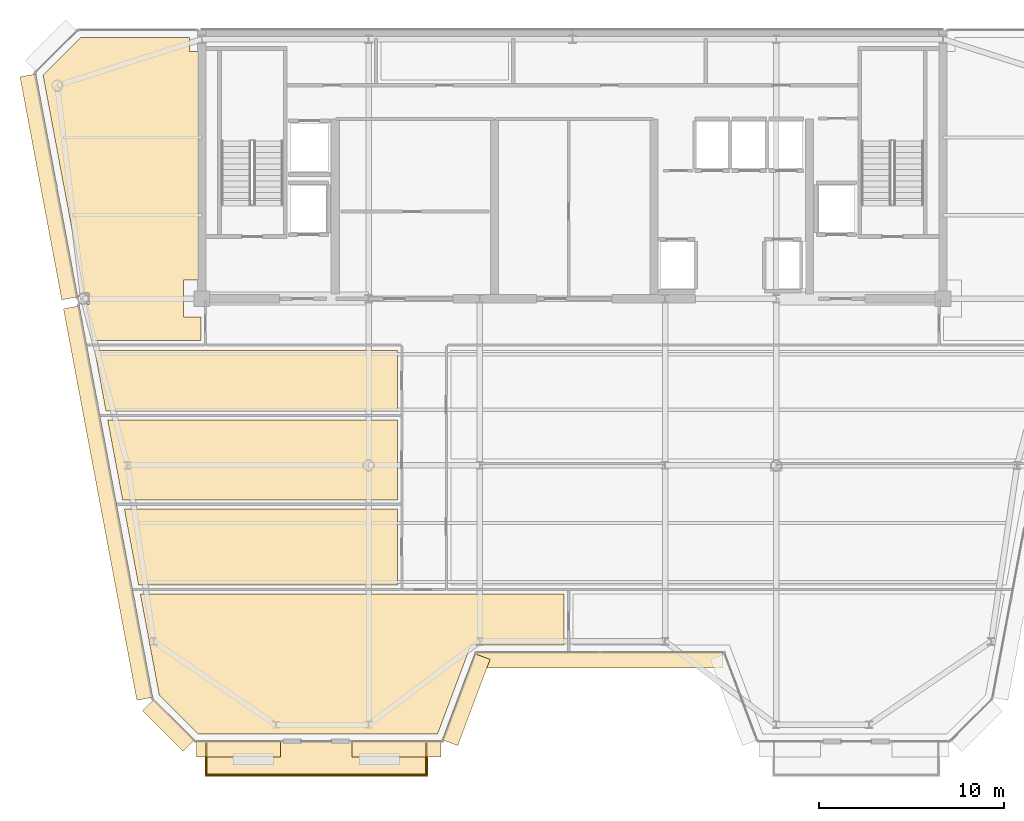
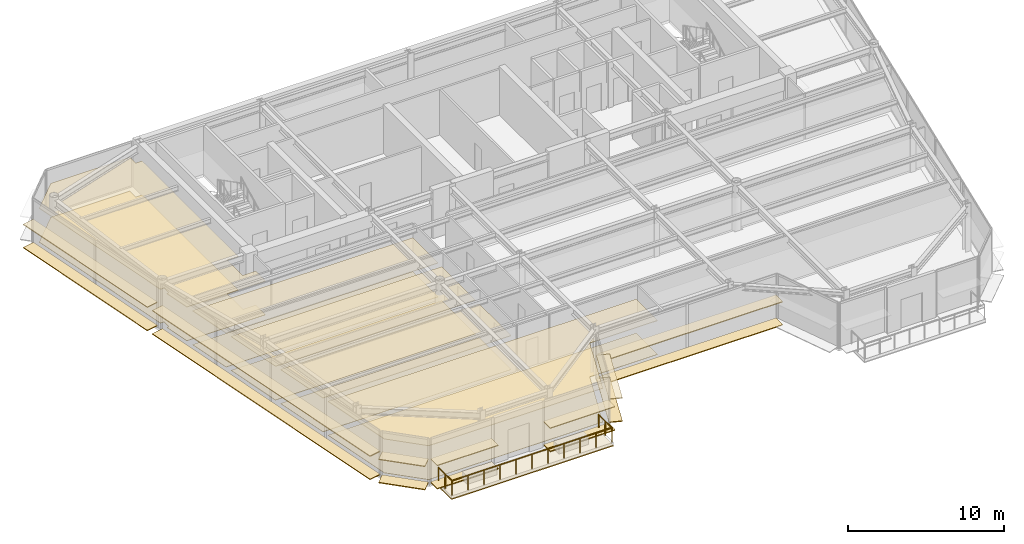
# One storey, part 14 of 20: 25 coverings, 1 railing.
"""IFC4 building model written with IfcOpenShell, lengths in metres."""

from ifc_helpers import new_model, si_unit, direction, frame, origin, origin_2d, place, context, subcontext, project, spatial, polyline, rectangle, circle, outline, extrude, source, transform, mapped, material, layer, layer_set, type_object, element, save


model = new_model("IFC4")

# Units and contexts
model_context = context("Model", 3, precision=1e-05, world=origin(), true_north=direction((0.0, 1.0)))
body_context = subcontext(model_context, "Body", "Model", "MODEL_VIEW")
ifc_project = project(units=[si_unit("LENGTHUNIT", "METRE"), si_unit("AREAUNIT", "SQUARE_METRE"), si_unit("VOLUMEUNIT", "CUBIC_METRE"), si_unit("PLANEANGLEUNIT", "RADIAN"), si_unit("MASSUNIT", "GRAM", prefix="KILO")], contexts=[model_context])

# Site, building, storey
site_placement = place(None, origin())
site = spatial("IfcSite", under=ifc_project, at=site_placement, CompositionType="ELEMENT")
building_placement = place(site_placement, origin())
building = spatial("IfcBuilding", under=site, at=building_placement, Name="Vaeldorn Concourse Tower", CompositionType="ELEMENT")
storey_placement = place(building_placement, frame((0.0, 0.0, 268.800048828125)))
storey = spatial("IfcBuildingStorey", under=building, at=storey_placement, Name="L69", CompositionType="ELEMENT", Elevation=268.800048828125)

# Coverings
ifc_material_1 = material(Name="Acoustic Mineral Fibre Board", Category="gypsum")
ifc_layer_1 = layer(ifc_material_1, 0.0400390625)
ifc_layer_set_1 = layer_set([ifc_layer_1], Name="Acoustic Mineral Fibre Board")
covering_type_1 = type_object("IfcCoveringType", Name="COV-CEIL-ACOUSTIC", PredefinedType="CEILING", material=ifc_layer_set_1)
covering_1_placement = place(storey_placement, frame((0.0, 0.0, 2.64990234375)))
element("IfcCovering", 1, at=covering_1_placement, inside=storey, type_object=covering_type_1, Name="Suspended Acoustic Ceiling L69-3", PredefinedType="CEILING", context=body_context, shape_type="SweptSolid", body=[
    extrude(outline(polyline([(7.4658203125, 50.60009765625), (13.340087890625, 50.60009765625), (13.340087890625, 49.840087890625), (13.820068359375, 49.840087890625), (13.820068359375, 37.5), (13.0, 37.5), (13.0, 35.5), (13.9599609375, 35.5), (13.9599609375, 34.239990234375), (8.11767578125, 34.239990234375), (7.751220703125, 36.195068359375), (7.905029296875, 36.195068359375), (7.905029296875, 36.804931640625), (7.63671875, 36.804931640625), (5.431884765625, 48.56640625), (7.4658203125, 50.60009765625)])), origin(), (0.0, 0.0, 1.0), 0.0400390625),
])
covering_2_placement = place(storey_placement, frame((0.0, 0.0, 2.64990234375)))
element("IfcCovering", 2, at=covering_2_placement, inside=storey, type_object=covering_type_1, Name="Suspended Acoustic Ceiling L69-5", PredefinedType="CEILING", context=body_context, shape_type="SweptSolid", body=[
    extrude(outline(polyline([(24.56005859375, 25.159912109375), (24.56005859375, 21.0400390625), (10.592041015625, 21.0400390625), (9.819580078125, 25.159912109375), (24.56005859375, 25.159912109375)])), origin(), (0.0, 0.0, 1.0), 0.0400390625),
])
covering_3_placement = place(storey_placement, frame((0.0, 0.0, 2.64990234375)))
element("IfcCovering", 3, at=covering_3_placement, inside=storey, type_object=covering_type_1, Name="Suspended Acoustic Ceiling L69-6", PredefinedType="CEILING", context=body_context, shape_type="SweptSolid", body=[
    extrude(outline(polyline([(24.56005859375, 29.9599609375), (24.56005859375, 25.639892578125), (9.729736328125, 25.639892578125), (8.919921875, 29.9599609375), (24.56005859375, 29.9599609375)])), origin(), (0.0, 0.0, 1.0), 0.0400390625),
])
covering_4_placement = place(storey_placement, frame((0.0, 0.0, 2.64990234375)))
element("IfcCovering", 4, at=covering_4_placement, inside=storey, type_object=covering_type_1, Name="Suspended Acoustic Ceiling L69-7", PredefinedType="CEILING", context=body_context, shape_type="SweptSolid", body=[
    extrude(outline(polyline([(24.56005859375, 33.699951171875), (24.56005859375, 30.43994140625), (8.829833984375, 30.43994140625), (8.21875, 33.699951171875), (24.56005859375, 33.699951171875)])), origin(), (0.0, 0.0, 1.0), 0.0400390625),
])
covering_5_placement = place(storey_placement, frame((0.0, 0.0, 2.64990234375)))
element("IfcCovering", 5, at=covering_5_placement, inside=storey, type_object=covering_type_1, Name="Suspended Acoustic Ceiling L69-10", PredefinedType="CEILING", context=body_context, shape_type="SweptSolid", body=[
    extrude(outline(polyline([(33.56005859375, 20.56005859375), (33.56005859375, 17.800048828125), (28.522705078125, 17.800048828125), (26.722900390625, 13.0), (13.8017578125, 13.0), (11.706298828125, 15.09521484375), (11.687255859375, 15.197509765625), (10.681884765625, 20.56005859375), (33.56005859375, 20.56005859375)])), origin(), (0.0, 0.0, 1.0), 0.0400390625),
])
ifc_material_2 = material(Name="Honed Limestone Terrazzo Flooring", Category="masonry")
ifc_layer_2 = layer(ifc_material_2, 0.0400390625)
ifc_layer_set_2 = layer_set([ifc_layer_2], Name="Honed Limestone Terrazzo Flooring")
covering_type_2 = type_object("IfcCoveringType", Name="COV-FLOOR-STONE", PredefinedType="FLOORING", material=ifc_layer_set_2)
covering_6_placement = place(storey_placement, origin())
element("IfcCovering", 6, at=covering_6_placement, inside=storey, type_object=covering_type_2, Name="Floor Finish Covering L69-3", PredefinedType="FLOORING", context=body_context, shape_type="SweptSolid", body=[
    extrude(outline(polyline([(7.4658203125, 50.60009765625), (13.340087890625, 50.60009765625), (13.340087890625, 49.840087890625), (13.820068359375, 49.840087890625), (13.820068359375, 37.5), (13.0, 37.5), (13.0, 35.5), (13.9599609375, 35.5), (13.9599609375, 34.239990234375), (8.11767578125, 34.239990234375), (7.751220703125, 36.195068359375), (7.905029296875, 36.195068359375), (7.905029296875, 36.804931640625), (7.63671875, 36.804931640625), (5.431884765625, 48.56640625), (7.4658203125, 50.60009765625)])), origin(), (0.0, 0.0, 1.0), 0.030029296875),
])
covering_7_placement = place(storey_placement, origin())
element("IfcCovering", 7, at=covering_7_placement, inside=storey, type_object=covering_type_2, Name="Floor Finish Covering L69-5", PredefinedType="FLOORING", context=body_context, shape_type="SweptSolid", body=[
    extrude(outline(polyline([(24.56005859375, 25.159912109375), (24.56005859375, 21.0400390625), (10.592041015625, 21.0400390625), (9.819580078125, 25.159912109375), (24.56005859375, 25.159912109375)])), origin(), (0.0, 0.0, 1.0), 0.030029296875),
])
covering_8_placement = place(storey_placement, origin())
element("IfcCovering", 8, at=covering_8_placement, inside=storey, type_object=covering_type_2, Name="Floor Finish Covering L69-6", PredefinedType="FLOORING", context=body_context, shape_type="SweptSolid", body=[
    extrude(outline(polyline([(24.56005859375, 29.9599609375), (24.56005859375, 25.639892578125), (9.729736328125, 25.639892578125), (8.919921875, 29.9599609375), (24.56005859375, 29.9599609375)])), origin(), (0.0, 0.0, 1.0), 0.030029296875),
])
covering_9_placement = place(storey_placement, origin())
element("IfcCovering", 9, at=covering_9_placement, inside=storey, type_object=covering_type_2, Name="Floor Finish Covering L69-7", PredefinedType="FLOORING", context=body_context, shape_type="SweptSolid", body=[
    extrude(outline(polyline([(24.56005859375, 33.699951171875), (24.56005859375, 30.43994140625), (8.829833984375, 30.43994140625), (8.21875, 33.699951171875), (24.56005859375, 33.699951171875)])), origin(), (0.0, 0.0, 1.0), 0.030029296875),
])
covering_10_placement = place(storey_placement, origin())
element("IfcCovering", 10, at=covering_10_placement, inside=storey, type_object=covering_type_2, Name="Floor Finish Covering L69-10", PredefinedType="FLOORING", context=body_context, shape_type="SweptSolid", body=[
    extrude(outline(polyline([(33.56005859375, 20.56005859375), (33.56005859375, 17.800048828125), (28.522705078125, 17.800048828125), (26.722900390625, 13.0), (13.8017578125, 13.0), (11.706298828125, 15.09521484375), (11.687255859375, 15.197509765625), (10.681884765625, 20.56005859375), (33.56005859375, 20.56005859375)])), origin(), (0.0, 0.0, 1.0), 0.030029296875),
])
ifc_material_3 = material(Name="EPDM Waterproof Membrane and Insulation", Category="plastic")
ifc_layer_3 = layer(ifc_material_3, 0.080078125)
ifc_layer_set_3 = layer_set([ifc_layer_3], Name="EPDM Waterproof Membrane and Insulation")
covering_type_3 = type_object("IfcCoveringType", Name="COV-ROOFING-EPDM", PredefinedType="ROOFING", material=ifc_layer_set_3)
covering_11_placement = place(storey_placement, frame((0.0, 0.0, -0.300048828125)))
element("IfcCovering", 11, at=covering_11_placement, inside=storey, type_object=covering_type_3, Name="Sky Garden Waterproofing Membrane L69-1", PredefinedType="ROOFING", context=body_context, shape_type="SweptSolid", body=[
    extrude(outline(polyline([(14.166015625, 10.719970703125), (26.199951171875, 10.719970703125), (26.199951171875, 12.580078125), (14.166015625, 12.580078125), (14.166015625, 10.719970703125)])), origin(), (0.0, 0.0, 1.0), 0.080078125),
])

# Railing
ifc_material_4 = material(Name="Anodised Bronze Aluminium", Category="aluminium")
railing_type = type_object("IfcRailingType", Name="RL-BALUSTRADE-1150", PredefinedType="BALUSTRADE", material=ifc_material_4)
railing_placement = place(storey_placement, frame((14.24609375, 12.5, 0.0)))
element("IfcRailing", 12, at=railing_placement, inside=storey, type_object=railing_type, Name="Sawtooth Sky Garden Balustrade L69-1", PredefinedType="BALUSTRADE", context=body_context, shape_type="SweptSolid", body=[
    extrude(circle(Radius=0.02392578125, at=origin_2d()), frame((0.0, 0.0, 1.1259765625), z_axis=(0.0, -1.0, 0.0), x_axis=(1.0, 0.0, 0.0)), (0.0, 0.0, 1.0), 1.699951171875),
    extrude(circle(Radius=0.02392578125, at=origin_2d()), frame((0.0, -1.699951171875, 1.1259765625), z_axis=(1.0, 0.0, 0.0), x_axis=(0.0, 1.0, 0.0)), (0.0, 0.0, 1.0), 11.8740234375),
    extrude(circle(Radius=0.02392578125, at=origin_2d()), frame((11.8740234375, -1.699951171875, 1.1259765625), z_axis=(0.0, 1.0, 0.0), x_axis=(-1.0, 0.0, 0.0)), (0.0, 0.0, 1.0), 1.699951171875),
    extrude(circle(Radius=0.02099609375, at=origin_2d()), origin(), (0.0, 0.0, 1.0), 1.101806640625),
    extrude(circle(Radius=0.02099609375, at=origin_2d()), frame((0.0, -0.85009765625, 0.0)), (0.0, 0.0, 1.0), 1.101806640625),
    extrude(circle(Radius=0.02099609375, at=origin_2d()), frame((0.0, -1.699951171875, 0.0)), (0.0, 0.0, 1.0), 1.101806640625),
    extrude(circle(Radius=0.02099609375, at=origin_2d()), frame((1.1875, -1.699951171875, 0.0)), (0.0, 0.0, 1.0), 1.101806640625),
    extrude(circle(Radius=0.02099609375, at=origin_2d()), frame((2.374755859375, -1.699951171875, 0.0)), (0.0, 0.0, 1.0), 1.101806640625),
    extrude(circle(Radius=0.02099609375, at=origin_2d()), frame((3.562255859375, -1.699951171875, 0.0)), (0.0, 0.0, 1.0), 1.101806640625),
    extrude(circle(Radius=0.02099609375, at=origin_2d()), frame((4.74951171875, -1.699951171875, 0.0)), (0.0, 0.0, 1.0), 1.101806640625),
    extrude(circle(Radius=0.02099609375, at=origin_2d()), frame((5.93701171875, -1.699951171875, 0.0)), (0.0, 0.0, 1.0), 1.101806640625),
    extrude(circle(Radius=0.02099609375, at=origin_2d()), frame((7.12451171875, -1.699951171875, 0.0)), (0.0, 0.0, 1.0), 1.101806640625),
    extrude(circle(Radius=0.02099609375, at=origin_2d()), frame((8.311767578125, -1.699951171875, 0.0)), (0.0, 0.0, 1.0), 1.101806640625),
    extrude(circle(Radius=0.02099609375, at=origin_2d()), frame((9.499267578125, -1.699951171875, 0.0)), (0.0, 0.0, 1.0), 1.101806640625),
    extrude(circle(Radius=0.02099609375, at=origin_2d()), frame((10.6865234375, -1.699951171875, 0.0)), (0.0, 0.0, 1.0), 1.101806640625),
    extrude(circle(Radius=0.02099609375, at=origin_2d()), frame((11.8740234375, -1.699951171875, 0.0)), (0.0, 0.0, 1.0), 1.101806640625),
    extrude(circle(Radius=0.02099609375, at=origin_2d()), frame((11.8740234375, -0.85009765625, 0.0)), (0.0, 0.0, 1.0), 1.101806640625),
    extrude(circle(Radius=0.02099609375, at=origin_2d()), frame((11.8740234375, 0.0, 0.0)), (0.0, 0.0, 1.0), 1.101806640625),
])

# Coverings
ifc_layer_4 = layer(ifc_material_4, 0.06494140625)
ifc_layer_set_4 = layer_set([ifc_layer_4], Name="Anodised Bronze Aluminium")
covering_type_4 = type_object("IfcCoveringType", Name="SD-BRONZE-SUNSHADE", PredefinedType="USERDEFINED", material=ifc_layer_set_4)
shared_shape_1 = source(origin(), body_context, "Body", "SweptSolid", [
    extrude(rectangle(XDim=4.96630859375, YDim=0.8798828125, at=origin_2d()), origin(), (0.0, 0.0, 1.0), 0.06494140625),
])
for number, where, z_axis, x_axis, name in (
    (13, (28.2744140625, 14.859619140625, 0.04736328125), (0.0, 0.0, 1.0), (0.351122702609, 0.936329454686, 0.0), "Horizontal Bronze Sunshade L69-E02.1.1"),
    (14, (28.2744140625, 14.859619140625, 1.867431640625), (0.0, 0.0, 1.0), (0.351122702609, 0.936329454686, 0.0), "Horizontal Bronze Sunshade L69-E02.1.2"),
):
    element("IfcCovering", number, at=place(storey_placement, frame(where, z_axis=z_axis, x_axis=x_axis)), inside=storey, type_object=covering_type_4, Name=name, ObjectType="SUNSHADE", PredefinedType="USERDEFINED", context=body_context, shape_type="MappedRepresentation", body=[
        mapped(shared_shape_1, transform((0.0, 0.0, 0.0), scale=1.0)),
    ])
shared_shape_2 = source(origin(), body_context, "Body", "SweptSolid", [
    extrude(rectangle(XDim=13.239990234375, YDim=0.8798828125, at=origin_2d()), origin(), (0.0, 0.0, 1.0), 0.06494140625),
])
for number, where, z_axis, x_axis, name in (
    (15, (35.5, 17.0, 0.04736328125), (0.0, 0.0, 1.0), (1.0, 0.0, 0.0), "Horizontal Bronze Sunshade L69-E03.1.1"),
    (16, (35.5, 17.0, 1.867431640625), (0.0, 0.0, 1.0), (1.0, 0.0, 0.0), "Horizontal Bronze Sunshade L69-E03.1.2"),
):
    element("IfcCovering", number, at=place(storey_placement, frame(where, z_axis=z_axis, x_axis=x_axis)), inside=storey, type_object=covering_type_4, Name=name, ObjectType="SUNSHADE", PredefinedType="USERDEFINED", context=body_context, shape_type="MappedRepresentation", body=[
        mapped(shared_shape_2, transform((0.0, 0.0, 0.0), scale=1.0)),
    ])
shared_shape_3 = source(origin(), body_context, "Body", "SweptSolid", [
    extrude(rectangle(XDim=3.0927734375, YDim=0.8798828125, at=origin_2d()), origin(), (0.0, 0.0, 1.0), 0.06494140625),
])
for number, where, z_axis, x_axis, name in (
    (17, (12.203125, 13.46728515625, 0.04736328125), (0.0, 0.0, 1.0), (0.707106781187, -0.707106781187, 0.0), "Horizontal Bronze Sunshade L69-E12.1.1"),
    (18, (12.203125, 13.46728515625, 1.867431640625), (0.0, 0.0, 1.0), (0.707106781187, -0.707106781187, 0.0), "Horizontal Bronze Sunshade L69-E12.1.2"),
):
    element("IfcCovering", number, at=place(storey_placement, frame(where, z_axis=z_axis, x_axis=x_axis)), inside=storey, type_object=covering_type_4, Name=name, ObjectType="SUNSHADE", PredefinedType="USERDEFINED", context=body_context, shape_type="MappedRepresentation", body=[
        mapped(shared_shape_3, transform((0.0, 0.0, 0.0), scale=1.0)),
    ])
shared_shape_4 = source(origin(), body_context, "Body", "SweptSolid", [
    extrude(rectangle(XDim=4.5439453125, YDim=0.8798828125, at=origin_2d()), origin(), (0.0, 0.0, 1.0), 0.06494140625),
])
for number, where, z_axis, x_axis, name in (
    (19, (15.988037109375, 12.199951171875, 0.04736328125), (0.0, 0.0, 1.0), (1.0, 0.0, 0.0), "Horizontal Bronze Sunshade L69-E01.1.1"),
    (20, (15.988037109375, 12.199951171875, 1.867431640625), (0.0, 0.0, 1.0), (1.0, 0.0, 0.0), "Horizontal Bronze Sunshade L69-E01.1.2"),
):
    element("IfcCovering", number, at=place(storey_placement, frame(where, z_axis=z_axis, x_axis=x_axis)), inside=storey, type_object=covering_type_4, Name=name, ObjectType="SUNSHADE", PredefinedType="USERDEFINED", context=body_context, shape_type="MappedRepresentation", body=[
        mapped(shared_shape_4, transform((0.0, 0.0, 0.0), scale=1.0)),
    ])
shared_shape_5 = source(origin(), body_context, "Body", "SweptSolid", [
    extrude(rectangle(XDim=4.820068359375, YDim=0.8798828125, at=origin_2d()), origin(), (0.0, 0.0, 1.0), 0.06494140625),
])
for number, where, z_axis, x_axis, name in (
    (21, (24.510009765625, 12.199951171875, 0.04736328125), (0.0, 0.0, 1.0), (1.0, 0.0, 0.0), "Horizontal Bronze Sunshade L69-E01.2.1"),
    (22, (24.510009765625, 12.199951171875, 1.867431640625), (0.0, 0.0, 1.0), (1.0, 0.0, 0.0), "Horizontal Bronze Sunshade L69-E01.2.2"),
):
    element("IfcCovering", number, at=place(storey_placement, frame(where, z_axis=z_axis, x_axis=x_axis)), inside=storey, type_object=covering_type_4, Name=name, ObjectType="SUNSHADE", PredefinedType="USERDEFINED", context=body_context, shape_type="MappedRepresentation", body=[
        mapped(shared_shape_5, transform((0.0, 0.0, 0.0), scale=1.0)),
    ])
shared_shape_6 = source(origin(), body_context, "Body", "SweptSolid", [
    extrude(rectangle(XDim=21.49560546875, YDim=0.8798828125, at=origin_2d()), origin(), (0.0, 0.0, 1.0), 0.06494140625),
])
for number, where, z_axis, x_axis, name in (
    (23, (8.94775390625, 25.46875, 0.04736328125), (0.0, 0.0, 1.0), (0.1842429853, -0.98288072642, 0.0), "Horizontal Bronze Sunshade L69-E11.2.1"),
    (24, (8.94775390625, 25.46875, 1.867431640625), (0.0, 0.0, 1.0), (0.1842429853, -0.98288072642, 0.0), "Horizontal Bronze Sunshade L69-E11.2.2"),
):
    element("IfcCovering", number, at=place(storey_placement, frame(where, z_axis=z_axis, x_axis=x_axis)), inside=storey, type_object=covering_type_4, Name=name, ObjectType="SUNSHADE", PredefinedType="USERDEFINED", context=body_context, shape_type="MappedRepresentation", body=[
        mapped(shared_shape_6, transform((0.0, 0.0, 0.0), scale=1.0)),
    ])
shared_shape_7 = source(origin(), body_context, "Body", "SweptSolid", [
    extrude(rectangle(XDim=12.241943359375, YDim=0.8798828125, at=origin_2d()), origin(), (0.0, 0.0, 1.0), 0.06494140625),
])
for number, where, z_axis, x_axis, name in (
    (25, (5.749267578125, 42.531494140625, 0.04736328125), (0.0, 0.0, 1.0), (0.1842429853, -0.98288072642, 0.0), "Horizontal Bronze Sunshade L69-E11.1.1"),
    (26, (5.749267578125, 42.531494140625, 1.867431640625), (0.0, 0.0, 1.0), (0.1842429853, -0.98288072642, 0.0), "Horizontal Bronze Sunshade L69-E11.1.2"),
):
    element("IfcCovering", number, at=place(storey_placement, frame(where, z_axis=z_axis, x_axis=x_axis)), inside=storey, type_object=covering_type_4, Name=name, ObjectType="SUNSHADE", PredefinedType="USERDEFINED", context=body_context, shape_type="MappedRepresentation", body=[
        mapped(shared_shape_7, transform((0.0, 0.0, 0.0), scale=1.0)),
    ])

save(model, "model.ifc")
